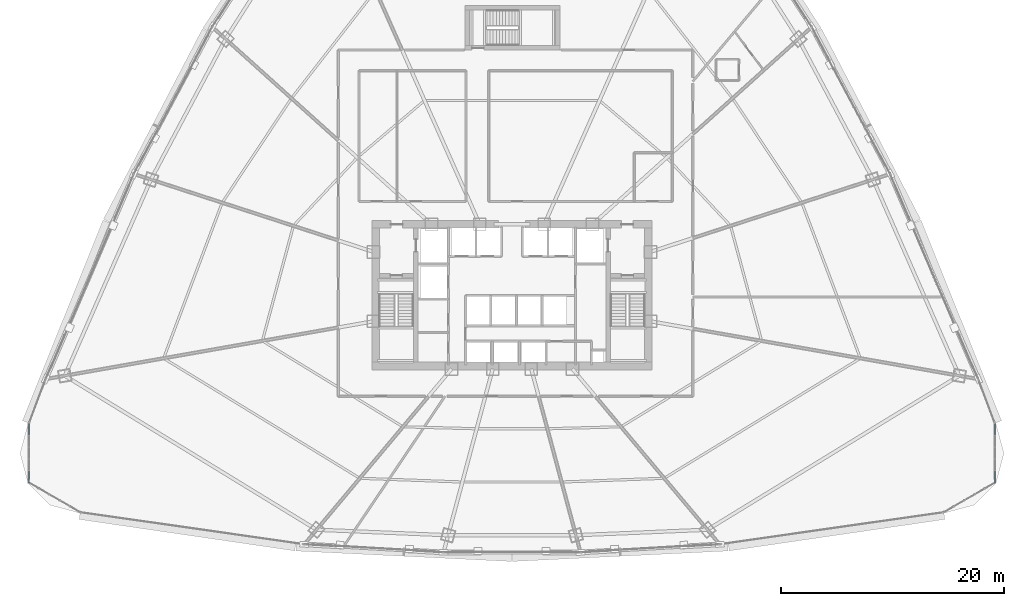
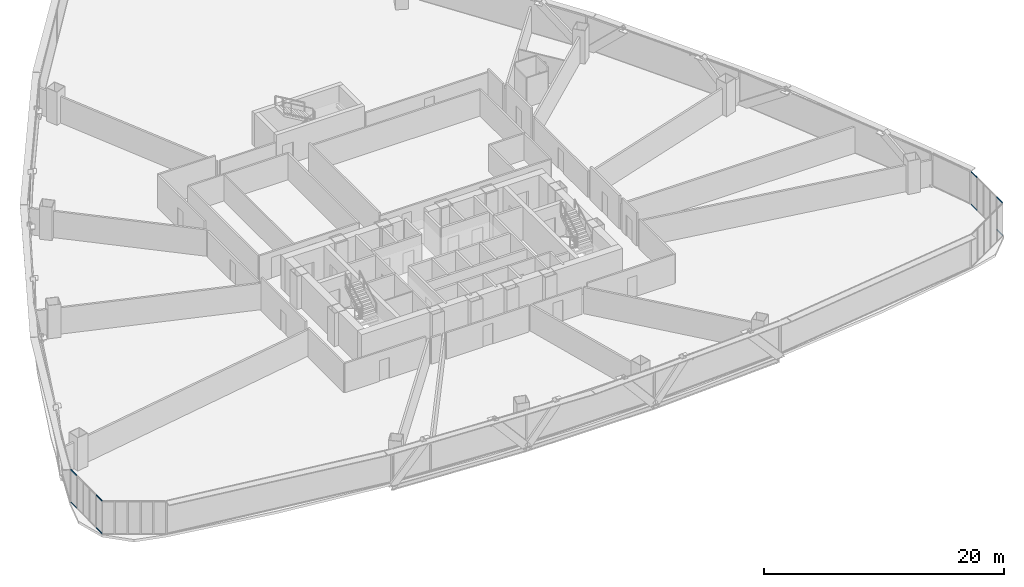
# One storey, part 30 of 42: 8 members, 2 elements without a shape of their own.
"""IFC4 building model written with IfcOpenShell, lengths in metres."""

from ifc_helpers import new_model, si_unit, direction, frame, origin, origin_2d, place, context, subcontext, project, spatial, hollow_rectangle, extrude, source, transform, mapped, material, layer, layer_set, material_profile, profile_set, type_object, element, aggregate, save


model = new_model("IFC4")

# Units and contexts
model_context = context("Model", 3, precision=1e-05, world=origin(), true_north=direction((0.0, 1.0)))
body_context = subcontext(model_context, "Body", "Model", "MODEL_VIEW")
ifc_project = project(units=[si_unit("LENGTHUNIT", "METRE"), si_unit("AREAUNIT", "SQUARE_METRE"), si_unit("VOLUMEUNIT", "CUBIC_METRE"), si_unit("PLANEANGLEUNIT", "RADIAN"), si_unit("MASSUNIT", "GRAM", prefix="KILO"), si_unit("THERMODYNAMICTEMPERATUREUNIT", "KELVIN"), si_unit("POWERUNIT", "WATT")], contexts=[model_context])

# Site, building, storey
site_placement = place(None, origin())
site = spatial("IfcSite", under=ifc_project, at=site_placement, CompositionType="ELEMENT")
building_placement = place(site_placement, origin())
building = spatial("IfcBuilding", under=site, at=building_placement, Name="Yunzhuo Pagoda Commons", CompositionType="ELEMENT")
storey_placement = place(building_placement, frame((0.0, 0.0, 48.550048828125)))
storey = spatial("IfcBuildingStorey", under=building, at=storey_placement, Name="L12", CompositionType="ELEMENT", Elevation=48.550048828125)

# Curtain wall, members
ifc_material = material(Name="Anodized aluminium 6063-T6", Category="aluminium")
ifc_layer = layer(ifc_material, 0.1298828125)
ifc_layer_set = layer_set([ifc_layer], Name="Anodized aluminium 6063-T6")
curtain_wall_type = type_object("IfcCurtainWallType", Name="CW-VTX Rounded Corner Curtain Wall", PredefinedType="NOTDEFINED", material=ifc_layer_set)
curtain_wall_1_placement = place(storey_placement, origin())
curtain_wall_1 = element("IfcCurtainWall", 1, at=curtain_wall_1_placement, inside=storey, type_object=curtain_wall_type, Name="L12 curtain wall CW-L12-VTX1S1", PredefinedType="NOTDEFINED")
ifc_material_profile = material_profile(ifc_material, hollow_rectangle(XDim=0.054931640625, YDim=0.1201171875, WallThickness=0.00341796875, at=origin_2d()), Name="Anodized aluminium 6063-T6")
ifc_profile_set = profile_set([ifc_material_profile], Name="Anodized aluminium 6063-T6")
member_type = type_object("IfcMemberType", Name="CW-VTX-T Transom RHS 120x55x3.5", PredefinedType="USERDEFINED", material=ifc_profile_set)
shared_shape_1 = source(origin(), body_context, "Body", "SweptSolid", [
    extrude(hollow_rectangle(XDim=0.054931640625, YDim=0.1201171875, WallThickness=0.00341796875, at=origin_2d()), origin(), (0.0, 0.0, 1.0), 0.990478515625),
])
member_1_placement = place(storey_placement, frame((4.748291015625, 22.3291015625, 0.02734375), z_axis=(-0.003450805187, -0.999994045954, 0.0), x_axis=(0.999994045954, -0.003450805187, 0.0)))
member_1 = element("IfcMember", 2, at=member_1_placement, type_object=member_type, Name="CW transom 1.1", ObjectType="TRANSOM", PredefinedType="USERDEFINED", context=body_context, shape_type="MappedRepresentation", body=[
    mapped(shared_shape_1, transform((0.0, 0.0, 0.0), scale=1.0)),
])
member_2_placement = place(storey_placement, frame((4.748291015625, 22.3291015625, 3.342529296875), z_axis=(-0.003450805187, -0.999994045954, 0.0), x_axis=(0.999994045954, -0.003450805187, 0.0)))
member_2 = element("IfcMember", 3, at=member_2_placement, type_object=member_type, Name="CW transom 1.2", ObjectType="TRANSOM", PredefinedType="USERDEFINED", context=body_context, shape_type="MappedRepresentation", body=[
    mapped(shared_shape_1, transform((0.0, 0.0, 0.0), scale=1.0)),
])

curtain_wall_2_placement = place(storey_placement, origin())
curtain_wall_2 = element("IfcCurtainWall", 4, at=curtain_wall_2_placement, inside=storey, type_object=curtain_wall_type, Name="L12 curtain wall CW-L12-VTX2S2", PredefinedType="NOTDEFINED")
member_3_placement = place(storey_placement, frame((91.255126953125, 21.338623046875, 0.02734375), z_axis=(-0.003450805187, 0.999994045954, 0.0), x_axis=(-0.999994045954, -0.003450805187, 0.0)))
member_3 = element("IfcMember", 5, at=member_3_placement, type_object=member_type, Name="CW transom 5.1", ObjectType="TRANSOM", PredefinedType="USERDEFINED", context=body_context, shape_type="MappedRepresentation", body=[
    mapped(shared_shape_1, transform((0.0, 0.0, 0.0), scale=1.0)),
])
member_4_placement = place(storey_placement, frame((91.255126953125, 21.338623046875, 3.342529296875), z_axis=(-0.003450805187, 0.999994045954, 0.0), x_axis=(-0.999994045954, -0.003450805187, 0.0)))
member_4 = element("IfcMember", 6, at=member_4_placement, type_object=member_type, Name="CW transom 5.2", ObjectType="TRANSOM", PredefinedType="USERDEFINED", context=body_context, shape_type="MappedRepresentation", body=[
    mapped(shared_shape_1, transform((0.0, 0.0, 0.0), scale=1.0)),
])

# Member
shared_shape_2 = source(origin(), body_context, "Body", "SweptSolid", [
    extrude(hollow_rectangle(XDim=0.054931640625, YDim=0.1201171875, WallThickness=0.00341796875, at=origin_2d()), origin(), (0.0, 0.0, 1.0), 0.990234375),
])
member_5_placement = place(storey_placement, frame((4.733154296875, 18.06494140625, 0.02734375), z_axis=(-0.003698199562, -0.999993161637, 0.0), x_axis=(0.999993161637, -0.003698199562, 0.0)))
member_5 = element("IfcMember", 7, at=member_5_placement, type_object=member_type, Name="CW transom 5.1", ObjectType="TRANSOM", PredefinedType="USERDEFINED", context=body_context, shape_type="MappedRepresentation", body=[
    mapped(shared_shape_2, transform((0.0, 0.0, 0.0), scale=1.0)),
])

member_6_placement = place(storey_placement, frame((4.733154296875, 18.06494140625, 3.342529296875), z_axis=(-0.003698199562, -0.999993161637, 0.0), x_axis=(0.999993161637, -0.003698199562, 0.0)))
member_6 = element("IfcMember", 8, at=member_6_placement, type_object=member_type, Name="CW transom 5.2", ObjectType="TRANSOM", PredefinedType="USERDEFINED", context=body_context, shape_type="MappedRepresentation", body=[
    mapped(shared_shape_2, transform((0.0, 0.0, 0.0), scale=1.0)),
])

aggregate(curtain_wall_1, [member_1, member_2, member_5, member_6])

member_7_placement = place(storey_placement, frame((91.2705078125, 17.07470703125, 0.02734375), z_axis=(-0.003698199562, 0.999993161637, 0.0), x_axis=(-0.999993161637, -0.003698199562, 0.0)))
member_7 = element("IfcMember", 9, at=member_7_placement, type_object=member_type, Name="CW transom 1.1", ObjectType="TRANSOM", PredefinedType="USERDEFINED", context=body_context, shape_type="MappedRepresentation", body=[
    mapped(shared_shape_2, transform((0.0, 0.0, 0.0), scale=1.0)),
])

member_8_placement = place(storey_placement, frame((91.2705078125, 17.07470703125, 3.342529296875), z_axis=(-0.003698199562, 0.999993161637, 0.0), x_axis=(-0.999993161637, -0.003698199562, 0.0)))
member_8 = element("IfcMember", 10, at=member_8_placement, type_object=member_type, Name="CW transom 1.2", ObjectType="TRANSOM", PredefinedType="USERDEFINED", context=body_context, shape_type="MappedRepresentation", body=[
    mapped(shared_shape_2, transform((0.0, 0.0, 0.0), scale=1.0)),
])

aggregate(curtain_wall_2, [member_7, member_8, member_3, member_4])

save(model, "model.ifc")
